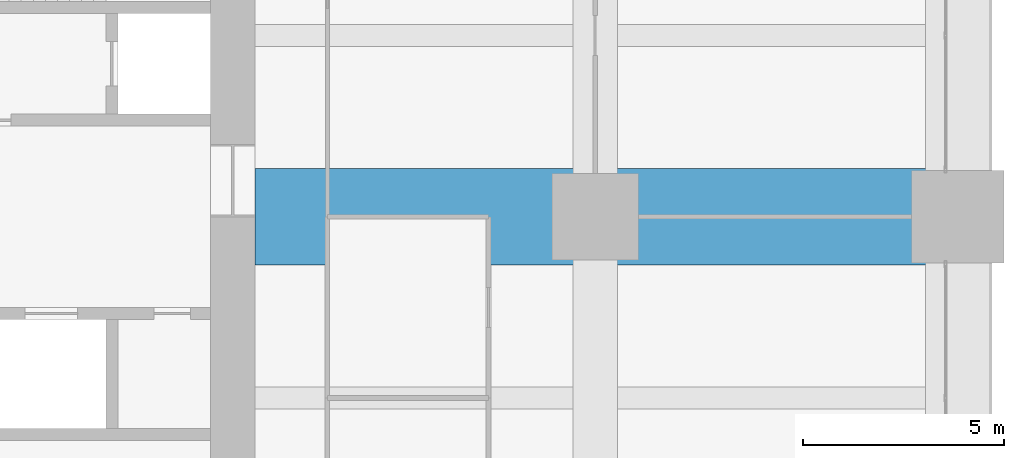
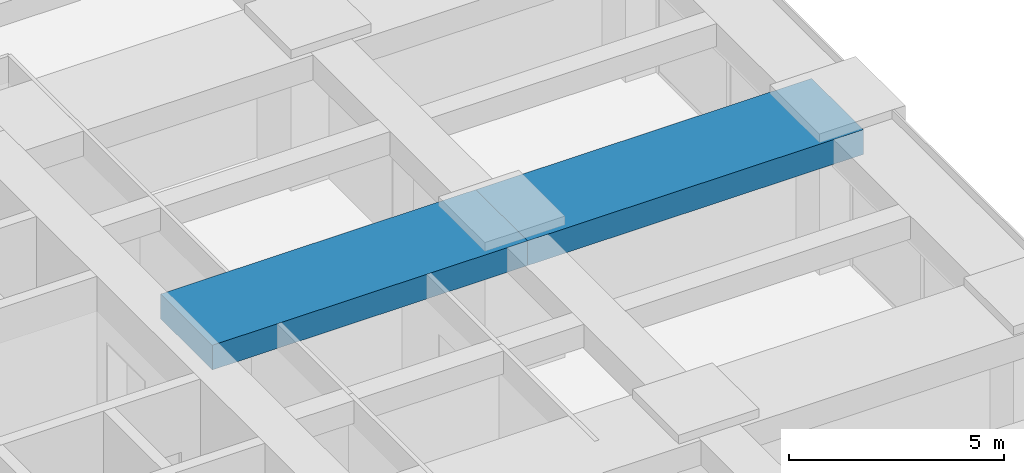
# One storey, part 21 of 43: 2 beams.
"""IFC4 building model written with IfcOpenShell, lengths in metres."""

from ifc_helpers import new_model, si_unit, direction, frame, origin, origin_2d, place, context, subcontext, project, spatial, rectangle, extrude, material, material_profile, profile_set, type_object, element, save


model = new_model("IFC4")

# Units and contexts
model_context = context("Model", 3, precision=1e-05, world=origin(), true_north=direction((0.0, 1.0)))
body_context = subcontext(model_context, "Body", "Model", "MODEL_VIEW")
ifc_project = project(units=[si_unit("LENGTHUNIT", "METRE"), si_unit("AREAUNIT", "SQUARE_METRE"), si_unit("VOLUMEUNIT", "CUBIC_METRE"), si_unit("PLANEANGLEUNIT", "RADIAN"), si_unit("MASSUNIT", "GRAM", prefix="KILO")], contexts=[model_context])

# Site, building, storey
site_placement = place(None, origin())
site = spatial("IfcSite", under=ifc_project, at=site_placement, CompositionType="ELEMENT")
building_placement = place(site_placement, origin())
building = spatial("IfcBuilding", under=site, at=building_placement, Name="Zorevar Civic Tower", CompositionType="ELEMENT")
storey_placement = place(building_placement, frame((0.0, 0.0, 67.800048828125)))
storey = spatial("IfcBuildingStorey", under=building, at=storey_placement, Name="L16", CompositionType="ELEMENT", Elevation=67.800048828125)

# Beams
ifc_material = material(Name="Concrete C50/60", Category="concrete")
ifc_material_profile = material_profile(ifc_material, rectangle(XDim=2.39990234375, YDim=0.699951171875, at=origin_2d()), Name="RC 2400x700")
ifc_profile_set = profile_set([ifc_material_profile], Name="Concrete C50/60")
beam_type = type_object("IfcBeamType", Name="Beam RC 2400x700", PredefinedType="BEAM", material=ifc_profile_set)
beam_1_placement = place(storey_placement, frame((45.550048828125, 27.0, 3.39990234375), z_axis=(1.0, 0.0, 0.0), x_axis=(0.0, 1.0, 0.0)))
element("IfcBeam", 1, at=beam_1_placement, inside=storey, type_object=beam_type, Name="Girder L17", PredefinedType="BEAM", context=body_context, shape_type="SweptSolid", body=[
    extrude(rectangle(XDim=2.39990234375, YDim=0.699951171875, at=origin_2d()), origin(), (0.0, 0.0, 1.0), 8.449951171875),
])
beam_2_placement = place(storey_placement, frame((54.0, 27.0, 3.39990234375), z_axis=(1.0, 0.0, 0.0), x_axis=(0.0, 1.0, 0.0)))
element("IfcBeam", 2, at=beam_2_placement, inside=storey, type_object=beam_type, Name="Girder L17", PredefinedType="BEAM", context=body_context, shape_type="SweptSolid", body=[
    extrude(rectangle(XDim=2.39990234375, YDim=0.699951171875, at=origin_2d()), origin(), (0.0, 0.0, 1.0), 9.0),
])

save(model, "model.ifc")
